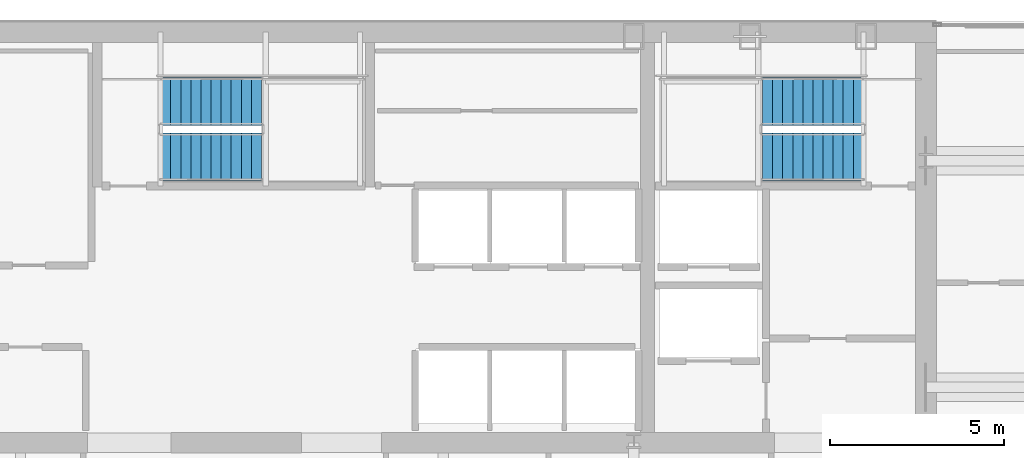
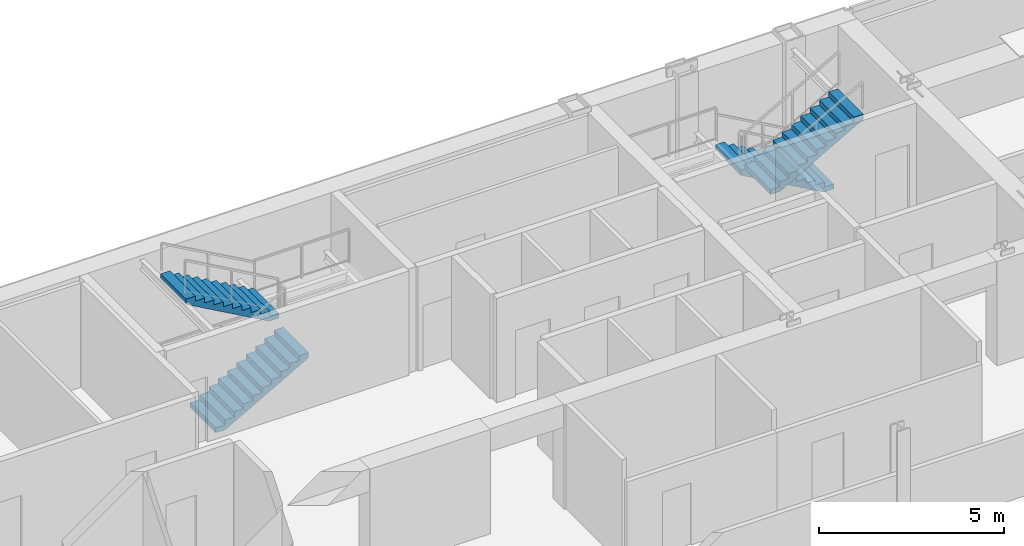
# One storey, part 24 of 26: 4 stair flights, 2 elements without a shape of their own.
"""IFC4 building model written with IfcOpenShell, lengths in metres."""

from ifc_helpers import new_model, si_unit, direction, frame, origin, place, context, subcontext, project, spatial, polyline, outline, extrude, material, type_object, element, aggregate, save


model = new_model("IFC4")

# Units and contexts
model_context = context("Model", 3, precision=1e-05, world=origin(), true_north=direction((0.0, 1.0)))
body_context = subcontext(model_context, "Body", "Model", "MODEL_VIEW")
ifc_project = project(units=[si_unit("LENGTHUNIT", "METRE"), si_unit("AREAUNIT", "SQUARE_METRE"), si_unit("VOLUMEUNIT", "CUBIC_METRE"), si_unit("PLANEANGLEUNIT", "RADIAN"), si_unit("MASSUNIT", "GRAM", prefix="KILO")], contexts=[model_context])

# Site, building, storey
site_placement = place(None, origin())
site = spatial("IfcSite", under=ifc_project, at=site_placement, CompositionType="ELEMENT")
building_placement = place(site_placement, origin())
building = spatial("IfcBuilding", under=site, at=building_placement, Name="Khoronbel Lancet Exchange", CompositionType="ELEMENT")
storey_placement = place(building_placement, frame((0.0, 0.0, 235.39990234375)))
storey = spatial("IfcBuildingStorey", under=building, at=storey_placement, Name="L60", CompositionType="ELEMENT", Elevation=235.39990234375)

# Stair, stair flights
ifc_material = material(Name="Concrete C40/50", Category="concrete")
stair_type = type_object("IfcStairType", Name="STR-CORE150", PredefinedType="HALF_TURN_STAIR", material=ifc_material)
stair_1_placement = place(storey_placement, origin())
stair_1 = element("IfcStair", 1, at=stair_1_placement, inside=storey, type_object=stair_type, Name="L60 Protected Exit Stair ST2", PredefinedType="HALF_TURN_STAIR")
stair_flight_type = type_object("IfcStairFlightType", Name="STF-150", PredefinedType="STRAIGHT", material=ifc_material)
stair_flight_1_placement = place(storey_placement, frame((54.60009765625, 51.409912109375, 0.0), z_axis=(0.0, 0.0, 1.0), x_axis=(-1.0, 0.0, 0.0)))
stair_flight_1 = element("IfcStairFlight", 2, at=stair_flight_1_placement, type_object=stair_flight_type, Name="ST2 flight 1", NumberOfRisers=11, NumberOfTreads=10, PredefinedType="STRAIGHT", RiserHeight=0.163636364, TreadLength=0.29, context=body_context, shape_type="SweptSolid", body=[
    extrude(outline(polyline([(0.0, 0.0), (0.0, 0.16357421875), (0.2900390625, 0.16357421875), (0.2900390625, 0.327392578125), (0.580078125, 0.327392578125), (0.580078125, 0.490966796875), (0.8701171875, 0.490966796875), (0.8701171875, 0.654541015625), (1.159912109375, 0.654541015625), (1.159912109375, 0.818115234375), (1.449951171875, 0.818115234375), (1.449951171875, 0.98193359375), (1.739990234375, 0.98193359375), (1.739990234375, 1.1455078125), (2.030029296875, 1.1455078125), (2.030029296875, 1.30908203125), (2.320068359375, 1.30908203125), (2.320068359375, 1.47265625), (2.610107421875, 1.47265625), (2.610107421875, 1.636474609375), (2.89990234375, 1.636474609375), (2.89990234375, 1.800048828125), (2.89990234375, 1.46435546875), (0.304931640625, 0.0), (0.0, 0.0)])), frame((0.0, 0.68994140625, 0.0), z_axis=(0.0, -1.0, 0.0), x_axis=(1.0, 0.0, 0.0)), (0.0, 0.0, 1.0), 1.3798828125),
])
stair_flight_2_placement = place(storey_placement, frame((51.699951171875, 49.81005859375, 1.800048828125), z_axis=(0.0, 0.0, 1.0), x_axis=(1.0, 0.0, 0.0)))
stair_flight_2 = element("IfcStairFlight", 3, at=stair_flight_2_placement, type_object=stair_flight_type, Name="ST2 flight 2", NumberOfRisers=11, NumberOfTreads=10, PredefinedType="STRAIGHT", RiserHeight=0.163636364, TreadLength=0.29, context=body_context, shape_type="SweptSolid", body=[
    extrude(outline(polyline([(0.0, 0.0), (0.0, 0.16357421875), (0.2900390625, 0.16357421875), (0.2900390625, 0.327392578125), (0.580078125, 0.327392578125), (0.580078125, 0.490966796875), (0.8701171875, 0.490966796875), (0.8701171875, 0.654541015625), (1.159912109375, 0.654541015625), (1.159912109375, 0.818115234375), (1.449951171875, 0.818115234375), (1.449951171875, 0.98193359375), (1.739990234375, 0.98193359375), (1.739990234375, 1.1455078125), (2.030029296875, 1.1455078125), (2.030029296875, 1.30908203125), (2.320068359375, 1.30908203125), (2.320068359375, 1.47265625), (2.610107421875, 1.47265625), (2.610107421875, 1.636474609375), (2.89990234375, 1.636474609375), (2.89990234375, 1.800048828125), (2.89990234375, 1.46435546875), (0.304931640625, 0.0), (0.0, 0.0)])), frame((0.0, 0.68994140625, 0.0), z_axis=(0.0, -1.0, 0.0), x_axis=(1.0, 0.0, 0.0)), (0.0, 0.0, 1.0), 1.3798828125),
])
aggregate(stair_1, [stair_flight_1, stair_flight_2])

stair_2_placement = place(storey_placement, origin())
stair_2 = element("IfcStair", 4, at=stair_2_placement, inside=storey, type_object=stair_type, Name="L60 Protected Exit Stair ST3", PredefinedType="HALF_TURN_STAIR")
stair_flight_3_placement = place(storey_placement, frame((34.39990234375, 49.81005859375, 0.0), z_axis=(0.0, 0.0, 1.0), x_axis=(1.0, 0.0, 0.0)))
stair_flight_3 = element("IfcStairFlight", 5, at=stair_flight_3_placement, type_object=stair_flight_type, Name="ST3 flight 1", NumberOfRisers=11, NumberOfTreads=10, PredefinedType="STRAIGHT", RiserHeight=0.163636364, TreadLength=0.29, context=body_context, shape_type="SweptSolid", body=[
    extrude(outline(polyline([(0.0, 0.0), (0.0, 0.16357421875), (0.2900390625, 0.16357421875), (0.2900390625, 0.327392578125), (0.580078125, 0.327392578125), (0.580078125, 0.490966796875), (0.8701171875, 0.490966796875), (0.8701171875, 0.654541015625), (1.159912109375, 0.654541015625), (1.159912109375, 0.818115234375), (1.449951171875, 0.818115234375), (1.449951171875, 0.98193359375), (1.739990234375, 0.98193359375), (1.739990234375, 1.1455078125), (2.030029296875, 1.1455078125), (2.030029296875, 1.30908203125), (2.320068359375, 1.30908203125), (2.320068359375, 1.47265625), (2.610107421875, 1.47265625), (2.610107421875, 1.636474609375), (2.89990234375, 1.636474609375), (2.89990234375, 1.800048828125), (2.89990234375, 1.46435546875), (0.304931640625, 0.0), (0.0, 0.0)])), frame((0.0, 0.68994140625, 0.0), z_axis=(0.0, -1.0, 0.0), x_axis=(1.0, 0.0, 0.0)), (0.0, 0.0, 1.0), 1.3798828125),
])
stair_flight_4_placement = place(storey_placement, frame((37.300048828125, 51.409912109375, 1.800048828125), z_axis=(0.0, 0.0, 1.0), x_axis=(-1.0, 0.0, 0.0)))
stair_flight_4 = element("IfcStairFlight", 6, at=stair_flight_4_placement, type_object=stair_flight_type, Name="ST3 flight 2", NumberOfRisers=11, NumberOfTreads=10, PredefinedType="STRAIGHT", RiserHeight=0.163636364, TreadLength=0.29, context=body_context, shape_type="SweptSolid", body=[
    extrude(outline(polyline([(0.0, 0.0), (0.0, 0.16357421875), (0.2900390625, 0.16357421875), (0.2900390625, 0.327392578125), (0.580078125, 0.327392578125), (0.580078125, 0.490966796875), (0.8701171875, 0.490966796875), (0.8701171875, 0.654541015625), (1.159912109375, 0.654541015625), (1.159912109375, 0.818115234375), (1.449951171875, 0.818115234375), (1.449951171875, 0.98193359375), (1.739990234375, 0.98193359375), (1.739990234375, 1.1455078125), (2.030029296875, 1.1455078125), (2.030029296875, 1.30908203125), (2.320068359375, 1.30908203125), (2.320068359375, 1.47265625), (2.610107421875, 1.47265625), (2.610107421875, 1.636474609375), (2.89990234375, 1.636474609375), (2.89990234375, 1.800048828125), (2.89990234375, 1.46435546875), (0.304931640625, 0.0), (0.0, 0.0)])), frame((0.0, 0.68994140625, 0.0), z_axis=(0.0, -1.0, 0.0), x_axis=(1.0, 0.0, 0.0)), (0.0, 0.0, 1.0), 1.3798828125),
])
aggregate(stair_2, [stair_flight_3, stair_flight_4])

save(model, "model.ifc")
